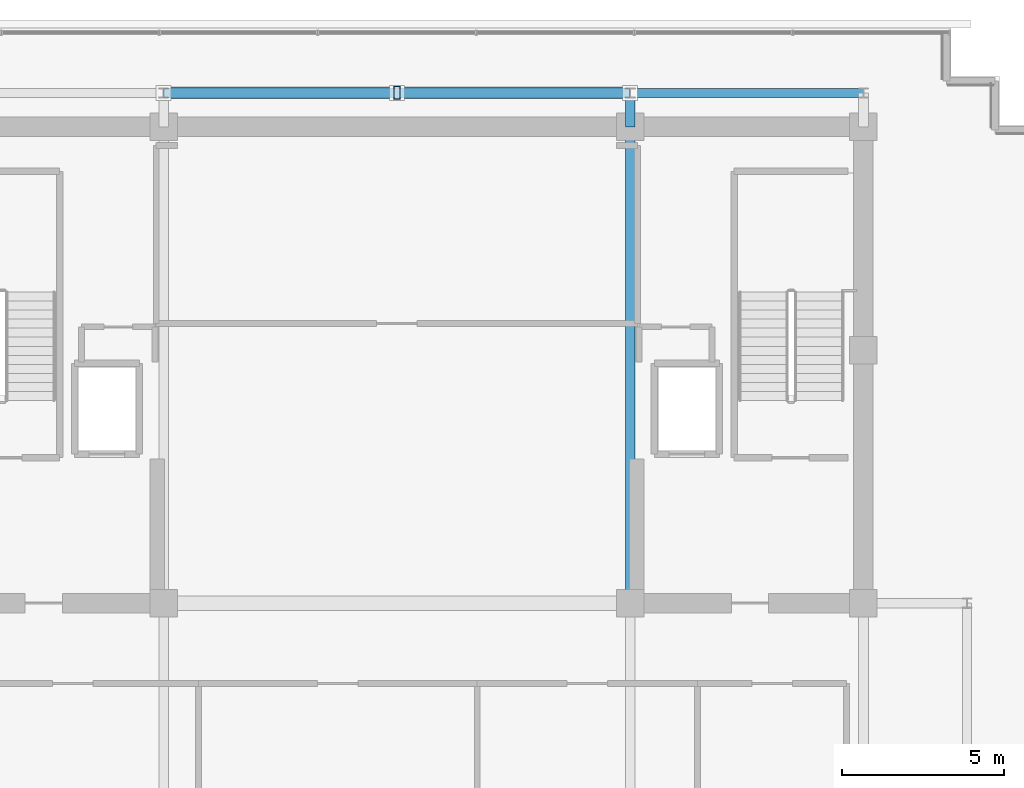
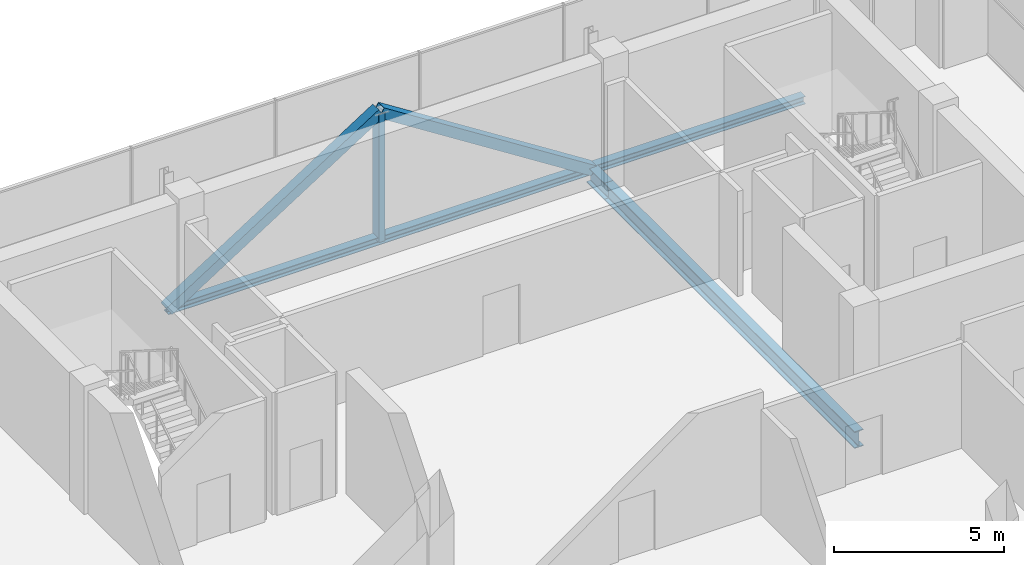
# One storey, part 14 of 28: 4 beams, 3 members.
"""IFC4 building model written with IfcOpenShell, lengths in metres."""

from ifc_helpers import new_model, si_unit, direction, frame, origin, origin_2d, place, context, subcontext, project, spatial, hollow_rectangle, i_section, extrude, source, transform, mapped, material, material_profile, profile_set, type_object, element, save


model = new_model("IFC4")

# Units and contexts
model_context = context("Model", 3, precision=1e-05, world=origin(), true_north=direction((0.0, 1.0)))
body_context = subcontext(model_context, "Body", "Model", "MODEL_VIEW")
ifc_project = project(units=[si_unit("LENGTHUNIT", "METRE"), si_unit("AREAUNIT", "SQUARE_METRE"), si_unit("VOLUMEUNIT", "CUBIC_METRE"), si_unit("PLANEANGLEUNIT", "RADIAN"), si_unit("MASSUNIT", "GRAM", prefix="KILO")], contexts=[model_context])

# Site, building, storey
site_placement = place(None, origin())
site = spatial("IfcSite", under=ifc_project, at=site_placement, CompositionType="ELEMENT")
building_placement = place(site_placement, origin())
building = spatial("IfcBuilding", under=site, at=building_placement, Name="Zarnakvel Exchange Tower", CompositionType="ELEMENT")
storey_placement = place(building_placement, frame((0.0, 0.0, 276.199951171875)))
storey = spatial("IfcBuildingStorey", under=building, at=storey_placement, Name="Crown L78", CompositionType="ELEMENT", Elevation=276.199951171875)

# Beams
ifc_material = material(Name="Steel S355", Category="steel")
ifc_material_profile_1 = material_profile(ifc_material, i_section(OverallWidth=0.300048828125, OverallDepth=0.60009765625, WebThickness=0.015380859375, FlangeThickness=0.030029296875, FilletRadius=0.027099609375, at=origin_2d()))
ifc_profile_set_1 = profile_set([ifc_material_profile_1], Name="Steel S355")
beam_type_1 = type_object("IfcBeamType", Name="G-04", PredefinedType="BEAM", material=ifc_profile_set_1)
beam_1_placement = place(storey_placement, frame((7.199951171875, -1.199951171875, -0.52001953125), z_axis=(0.0, 1.0, 0.0), x_axis=(-1.0, 0.0, 0.0)))
element("IfcBeam", 1, at=beam_1_placement, inside=storey, type_object=beam_type_1, Name="Crown L78 Tower N-S Frame Beam", PredefinedType="BEAM", context=body_context, shape_type="SweptSolid", body=[
    extrude(i_section(OverallWidth=0.300048828125, OverallDepth=0.60009765625, WebThickness=0.015380859375, FlangeThickness=0.030029296875, FilletRadius=0.027099609375, at=origin_2d()), origin(), (0.0, 0.0, 1.0), 14.699951171875),
])
beam_2_placement = place(storey_placement, frame((7.199951171875, 13.5, -0.52001953125), z_axis=(0.0, 1.0, 0.0), x_axis=(-1.0, 0.0, 0.0)))
element("IfcBeam", 2, at=beam_2_placement, inside=storey, type_object=beam_type_1, Name="Crown L78 Tower N-S Frame Beam", PredefinedType="BEAM", context=body_context, shape_type="SweptSolid", body=[
    extrude(i_section(OverallWidth=0.300048828125, OverallDepth=0.60009765625, WebThickness=0.015380859375, FlangeThickness=0.030029296875, FilletRadius=0.027099609375, at=origin_2d()), origin(), (0.0, 0.0, 1.0), 1.050048828125),
])
ifc_material_profile_2 = material_profile(ifc_material, i_section(OverallWidth=0.280029296875, OverallDepth=0.280029296875, WebThickness=0.010498046875, FlangeThickness=0.01806640625, FilletRadius=0.02392578125, at=origin_2d()))
ifc_profile_set_2 = profile_set([ifc_material_profile_2], Name="Steel S355")
beam_type_2 = type_object("IfcBeamType", Name="SP-04", PredefinedType="SPANDREL", material=ifc_profile_set_2)
beam_3_placement = place(storey_placement, frame((-7.199951171875, 14.550048828125, -0.35986328125), z_axis=(1.0, 0.0, 0.0), x_axis=(0.0, 1.0, 0.0)))
element("IfcBeam", 3, at=beam_3_placement, inside=storey, type_object=beam_type_2, Name="Crown L78 Tower E-W Frame Beam", PredefinedType="SPANDREL", context=body_context, shape_type="SweptSolid", body=[
    extrude(i_section(OverallWidth=0.280029296875, OverallDepth=0.280029296875, WebThickness=0.010498046875, FlangeThickness=0.01806640625, FilletRadius=0.02392578125, at=origin_2d()), origin(), (0.0, 0.0, 1.0), 14.39990234375),
])
beam_4_placement = place(storey_placement, frame((7.199951171875, 14.550048828125, -0.35986328125), z_axis=(1.0, 0.0, 0.0), x_axis=(0.0, 1.0, 0.0)))
element("IfcBeam", 4, at=beam_4_placement, inside=storey, type_object=beam_type_2, Name="Crown L78 Tower E-W Frame Beam", PredefinedType="SPANDREL", context=body_context, shape_type="SweptSolid", body=[
    extrude(i_section(OverallWidth=0.280029296875, OverallDepth=0.280029296875, WebThickness=0.010498046875, FlangeThickness=0.01806640625, FilletRadius=0.02392578125, at=origin_2d()), origin(), (0.0, 0.0, 1.0), 7.199951171875),
])

# Members
ifc_material_profile_3 = material_profile(ifc_material, hollow_rectangle(XDim=0.35009765625, YDim=0.35009765625, WallThickness=0.01611328125, at=origin_2d()))
ifc_profile_set_3 = profile_set([ifc_material_profile_3], Name="Steel S355")
member_type_1 = type_object("IfcMemberType", Name="CB-BR1", PredefinedType="BRACE", material=ifc_profile_set_3)
shared_shape_1 = source(origin(), body_context, "Body", "SweptSolid", [
    extrude(hollow_rectangle(XDim=0.35009765625, YDim=0.35009765625, WallThickness=0.01611328125, at=origin_2d()), origin(), (0.0, 0.0, 1.0), 8.5439453125),
])
for number, where, z_axis, x_axis, name in (
    (5, (-7.199951171875, 14.550048828125, -0.35986328125), (0.842702381832, 0.0, 0.53837969469), (0.0, 1.0, 0.0), "Crown L78 Crown Chevron Brace L (CB-BR1)"),
    (6, (7.199951171875, 14.550048828125, -0.35986328125), (-0.842702381832, 0.0, 0.53837969469), (0.0, -1.0, 0.0), "Crown L78 Crown Chevron Brace R (CB-BR1)"),
):
    element("IfcMember", number, at=place(storey_placement, frame(where, z_axis=z_axis, x_axis=x_axis)), inside=storey, type_object=member_type_1, Name=name, PredefinedType="BRACE", context=body_context, shape_type="MappedRepresentation", body=[
        mapped(shared_shape_1, transform((0.0, 0.0, 0.0), x_axis=(1.0, 0.0, 0.0), y_axis=(0.0, 1.0, 0.0), z_axis=(0.0, 0.0, 1.0), scale=1.0)),
    ])
ifc_material_profile_4 = material_profile(ifc_material, hollow_rectangle(XDim=0.199951171875, YDim=0.39990234375, WallThickness=0.01611328125, at=origin_2d()))
ifc_profile_set_4 = profile_set([ifc_material_profile_4], Name="Steel S355")
member_type_2 = type_object("IfcMemberType", Name="CB-ST1", PredefinedType="STRUT", material=ifc_profile_set_4)
shared_shape_2 = source(origin(), body_context, "Body", "SweptSolid", [
    extrude(hollow_rectangle(XDim=0.199951171875, YDim=0.39990234375, WallThickness=0.01611328125, at=origin_2d()), origin(), (0.0, 0.0, 1.0), 4.599853515625),
])
member_placement = place(storey_placement, frame((0.0, 14.550048828125, -0.35986328125), z_axis=(0.0, 0.0, 1.0), x_axis=(1.0, 0.0, 0.0)))
element("IfcMember", 7, at=member_placement, inside=storey, type_object=member_type_2, Name="Crown L78 Crown Frame Post (CB-ST1)", PredefinedType="STRUT", context=body_context, shape_type="MappedRepresentation", body=[
    mapped(shared_shape_2, transform((0.0, 0.0, 0.0), x_axis=(1.0, 0.0, 0.0), y_axis=(0.0, 1.0, 0.0), z_axis=(0.0, 0.0, 1.0), scale=1.0)),
])

save(model, "model.ifc")
